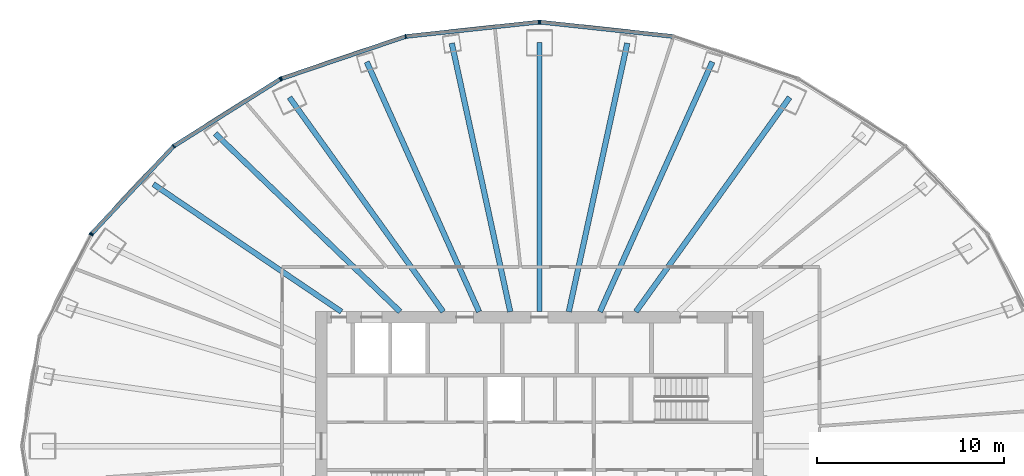
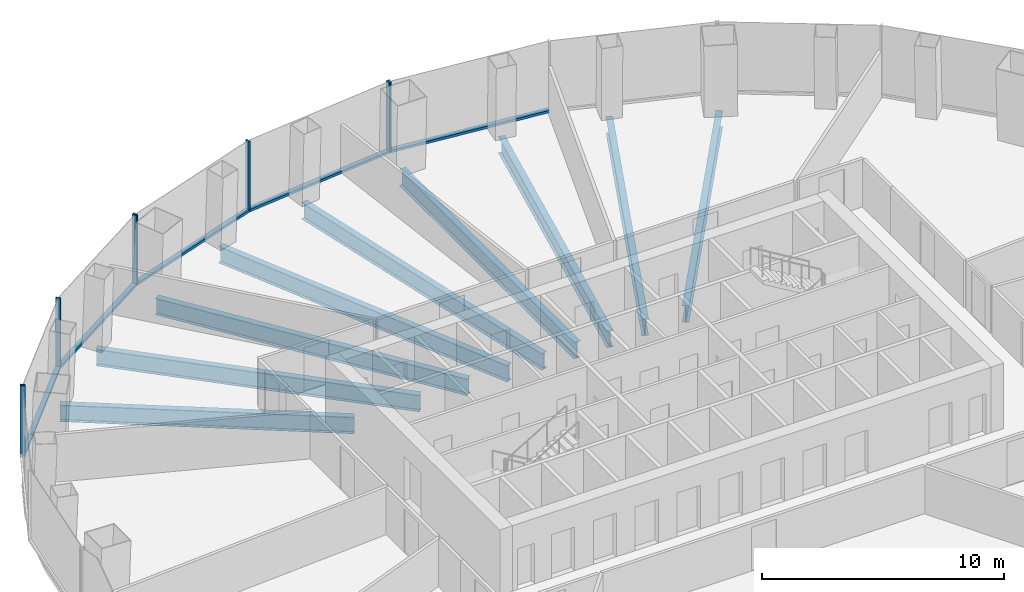
# One storey, part 5 of 11: 13 members, 9 beams, 4 elements without a shape of their own.
"""IFC4 building model written with IfcOpenShell, lengths in metres."""

from ifc_helpers import new_model, si_unit, direction, frame, origin, origin_2d, place, context, subcontext, project, spatial, rectangle, i_section, extrude, material, layer, layer_set, material_profile, profile_set, type_object, element, aggregate, save


model = new_model("IFC4")

# Units and contexts
model_context = context("Model", 3, precision=1e-05, world=origin(), true_north=direction((0.0, 1.0)))
body_context = subcontext(model_context, "Body", "Model", "MODEL_VIEW")
ifc_project = project(units=[si_unit("LENGTHUNIT", "METRE"), si_unit("AREAUNIT", "SQUARE_METRE"), si_unit("VOLUMEUNIT", "CUBIC_METRE"), si_unit("PLANEANGLEUNIT", "RADIAN"), si_unit("MASSUNIT", "GRAM", prefix="KILO")], contexts=[model_context])

# Site, building, storey
site_placement = place(None, origin())
site = spatial("IfcSite", under=ifc_project, at=site_placement, CompositionType="ELEMENT")
building_placement = place(site_placement, origin())
building = spatial("IfcBuilding", under=site, at=building_placement, Name="Siaravel Broadcast Tower", CompositionType="ELEMENT")
storey_placement = place(building_placement, frame((0.0, 0.0, 51.89990234375)))
storey = spatial("IfcBuildingStorey", under=building, at=storey_placement, Name="L11", CompositionType="ELEMENT", Elevation=51.89990234375)

# Beams
ifc_material_1 = material(Name="Steel S355", Category="steel")
ifc_material_profile_1 = material_profile(ifc_material_1, i_section(OverallWidth=0.291748046875, OverallDepth=0.8349609375, WebThickness=0.013916015625, FlangeThickness=0.018798828125, FilletRadius=0.017822265625, at=origin_2d()))
ifc_profile_set_1 = profile_set([ifc_material_profile_1], Name="Steel S355")
beam_type = type_object("IfcBeamType", Name="BM-UB 838x292x176", PredefinedType="BEAM", material=ifc_profile_set_1)
beam_1_placement = place(storey_placement, frame((13.402587890625, 18.687744140625, -0.5673828125), z_axis=(-0.582792363, -0.812621106, 0.0), x_axis=(0.812621106, -0.582792363, 0.0)))
element("IfcBeam", 1, at=beam_1_placement, inside=storey, type_object=beam_type, Name="Radial beam RB07", PredefinedType="BEAM", context=body_context, shape_type="SweptSolid", body=[
    extrude(i_section(OverallWidth=0.291748046875, OverallDepth=0.8349609375, WebThickness=0.013916015625, FlangeThickness=0.018798828125, FilletRadius=0.017822265625, at=origin_2d()), origin(), (0.0, 0.0, 1.0), 14.13671875),
])
beam_2_placement = place(storey_placement, frame((9.260986328125, 20.58984375, -0.5673828125), z_axis=(-0.410195272, -0.911997718, 0.0), x_axis=(0.911997718, -0.410195272, 0.0)))
element("IfcBeam", 2, at=beam_2_placement, inside=storey, type_object=beam_type, Name="Radial beam RB08", PredefinedType="BEAM", context=body_context, shape_type="SweptSolid", body=[
    extrude(i_section(OverallWidth=0.291748046875, OverallDepth=0.8349609375, WebThickness=0.013916015625, FlangeThickness=0.018798828125, FilletRadius=0.017822265625, at=origin_2d()), origin(), (0.0, 0.0, 1.0), 14.681884765625),
])
beam_3_placement = place(storey_placement, frame((4.70361328125, 21.590087890625, -0.5673828125), z_axis=(-0.212865263, -0.977081562, 0.0), x_axis=(0.977081562, -0.212865263, 0.0)))
element("IfcBeam", 3, at=beam_3_placement, inside=storey, type_object=beam_type, Name="Radial beam RB09", PredefinedType="BEAM", context=body_context, shape_type="SweptSolid", body=[
    extrude(i_section(OverallWidth=0.291748046875, OverallDepth=0.8349609375, WebThickness=0.013916015625, FlangeThickness=0.018798828125, FilletRadius=0.017822265625, at=origin_2d()), origin(), (0.0, 0.0, 1.0), 14.727783203125),
])
beam_4_placement = place(storey_placement, frame((0.0, 21.627197265625, -0.5673828125), z_axis=(0.0, -1.0, 0.0), x_axis=(1.0, 0.0, 0.0)))
element("IfcBeam", 4, at=beam_4_placement, inside=storey, type_object=beam_type, Name="Radial beam RB10", PredefinedType="BEAM", context=body_context, shape_type="SweptSolid", body=[
    extrude(i_section(OverallWidth=0.291748046875, OverallDepth=0.8349609375, WebThickness=0.013916015625, FlangeThickness=0.018798828125, FilletRadius=0.017822265625, at=origin_2d()), origin(), (0.0, 0.0, 1.0), 14.42724609375),
])
beam_5_placement = place(storey_placement, frame((-4.70361328125, 21.590087890625, -0.5673828125), z_axis=(0.212865263, -0.977081562, 0.0), x_axis=(0.977081562, 0.212865263, 0.0)))
element("IfcBeam", 5, at=beam_5_placement, inside=storey, type_object=beam_type, Name="Radial beam RB11", PredefinedType="BEAM", context=body_context, shape_type="SweptSolid", body=[
    extrude(i_section(OverallWidth=0.291748046875, OverallDepth=0.8349609375, WebThickness=0.013916015625, FlangeThickness=0.018798828125, FilletRadius=0.017822265625, at=origin_2d()), origin(), (0.0, 0.0, 1.0), 14.727783203125),
])
beam_6_placement = place(storey_placement, frame((-9.260986328125, 20.58984375, -0.5673828125), z_axis=(0.410195272, -0.911997718, 0.0), x_axis=(0.911997718, 0.410195272, 0.0)))
element("IfcBeam", 6, at=beam_6_placement, inside=storey, type_object=beam_type, Name="Radial beam RB12", PredefinedType="BEAM", context=body_context, shape_type="SweptSolid", body=[
    extrude(i_section(OverallWidth=0.291748046875, OverallDepth=0.8349609375, WebThickness=0.013916015625, FlangeThickness=0.018798828125, FilletRadius=0.017822265625, at=origin_2d()), origin(), (0.0, 0.0, 1.0), 14.681884765625),
])
beam_7_placement = place(storey_placement, frame((-13.402587890625, 18.687744140625, -0.5673828125), z_axis=(0.582792363, -0.812621106, 0.0), x_axis=(0.812621106, 0.582792363, 0.0)))
element("IfcBeam", 7, at=beam_7_placement, inside=storey, type_object=beam_type, Name="Radial beam RB13", PredefinedType="BEAM", context=body_context, shape_type="SweptSolid", body=[
    extrude(i_section(OverallWidth=0.291748046875, OverallDepth=0.8349609375, WebThickness=0.013916015625, FlangeThickness=0.018798828125, FilletRadius=0.017822265625, at=origin_2d()), origin(), (0.0, 0.0, 1.0), 14.13671875),
])
beam_8_placement = place(storey_placement, frame((-17.381591796875, 16.750732421875, -0.5673828125), z_axis=(0.720050335, -0.693921836, 0.0), x_axis=(0.693921836, 0.720050335, 0.0)))
element("IfcBeam", 8, at=beam_8_placement, inside=storey, type_object=beam_type, Name="Radial beam RB14", PredefinedType="BEAM", context=body_context, shape_type="SweptSolid", body=[
    extrude(i_section(OverallWidth=0.291748046875, OverallDepth=0.8349609375, WebThickness=0.013916015625, FlangeThickness=0.018798828125, FilletRadius=0.017822265625, at=origin_2d()), origin(), (0.0, 0.0, 1.0), 13.763427734375),
])
beam_9_placement = place(storey_placement, frame((-20.69580078125, 14.0361328125, -0.5673828125), z_axis=(0.827610801, -0.56130238, 0.0), x_axis=(0.56130238, 0.827610801, 0.0)))
element("IfcBeam", 9, at=beam_9_placement, inside=storey, type_object=beam_type, Name="Radial beam RB15", PredefinedType="BEAM", context=body_context, shape_type="SweptSolid", body=[
    extrude(i_section(OverallWidth=0.291748046875, OverallDepth=0.8349609375, WebThickness=0.013916015625, FlangeThickness=0.018798828125, FilletRadius=0.017822265625, at=origin_2d()), origin(), (0.0, 0.0, 1.0), 12.17919921875),
])

# Curtain wall, member
ifc_material_2 = material(Name="Aluminium 6063-T6", Category="aluminium")
ifc_layer = layer(ifc_material_2, 0.219970703125)
ifc_layer_set = layer_set([ifc_layer], Name="Aluminium 6063-T6")
curtain_wall_type = type_object("IfcCurtainWallType", Name="Unitised curtain wall, zone 1", PredefinedType="NOTDEFINED", material=ifc_layer_set)
curtain_wall_1_placement = place(storey_placement, origin())
curtain_wall_1 = element("IfcCurtainWall", 10, at=curtain_wall_1_placement, inside=storey, type_object=curtain_wall_type, Name="L11 Unitised curtain wall, zone 1 03", PredefinedType="NOTDEFINED")
ifc_material_profile_2 = material_profile(ifc_material_2, rectangle(XDim=0.219970703125, YDim=0.070068359375, at=origin_2d()))
ifc_profile_set_2 = profile_set([ifc_material_profile_2], Name="Aluminium 6063-T6")
member_type_1 = type_object("IfcMemberType", Name="CW-Z1 mullion", PredefinedType="MULLION", material=ifc_profile_set_2)
member_1_placement = place(storey_placement, frame((0.034912109375, 22.720703125, 0.0), z_axis=(0.0, 0.0, 1.0), x_axis=(-0.107217536, -0.994235586, 0.0)))
member_1 = element("IfcMember", 11, at=member_1_placement, type_object=member_type_1, Name="CW-Z1 mullion 3", PredefinedType="MULLION", context=body_context, shape_type="SweptSolid", body=[
    extrude(rectangle(XDim=0.219970703125, YDim=0.070068359375, at=origin_2d()), origin(), (0.0, 0.0, 1.0), 3.550048828125),
])

# Curtain wall, members
curtain_wall_2_placement = place(storey_placement, origin())
curtain_wall_2 = element("IfcCurtainWall", 12, at=curtain_wall_2_placement, inside=storey, type_object=curtain_wall_type, Name="L11 Unitised curtain wall, zone 1 04", PredefinedType="NOTDEFINED")
member_2_placement = place(storey_placement, frame((-0.034912109375, 22.720703125, 0.0), z_axis=(0.0, 0.0, 1.0), x_axis=(0.107217536, -0.994235586, 0.0)))
member_2 = element("IfcMember", 13, at=member_2_placement, type_object=member_type_1, Name="CW-Z1 mullion 1", PredefinedType="MULLION", context=body_context, shape_type="SweptSolid", body=[
    extrude(rectangle(XDim=0.219970703125, YDim=0.070068359375, at=origin_2d()), origin(), (0.0, 0.0, 1.0), 3.550048828125),
])
member_3_placement = place(storey_placement, frame((-7.17529296875, 21.95068359375, 0.0), z_axis=(0.0, 0.0, 1.0), x_axis=(0.215558136, -0.976491009, 0.0)))
member_3 = element("IfcMember", 14, at=member_3_placement, type_object=member_type_1, Name="CW-Z1 mullion 2", PredefinedType="MULLION", context=body_context, shape_type="SweptSolid", body=[
    extrude(rectangle(XDim=0.219970703125, YDim=0.070068359375, at=origin_2d()), origin(), (0.0, 0.0, 1.0), 3.550048828125),
])
member_4_placement = place(storey_placement, frame((-13.8291015625, 19.693115234375, 0.0), z_axis=(0.0, 0.0, 1.0), x_axis=(0.321300709, -0.94697722, 0.0)))
member_4 = element("IfcMember", 15, at=member_4_placement, type_object=member_type_1, Name="CW-Z1 mullion 3", PredefinedType="MULLION", context=body_context, shape_type="SweptSolid", body=[
    extrude(rectangle(XDim=0.219970703125, YDim=0.070068359375, at=origin_2d()), origin(), (0.0, 0.0, 1.0), 3.550048828125),
])

curtain_wall_3_placement = place(storey_placement, origin())
curtain_wall_3 = element("IfcCurtainWall", 16, at=curtain_wall_3_placement, inside=storey, type_object=curtain_wall_type, Name="L11 Unitised curtain wall, zone 1 05", PredefinedType="NOTDEFINED")
member_5_placement = place(storey_placement, frame((-13.89208984375, 19.663330078125, 0.0), z_axis=(0.0, 0.0, 1.0), x_axis=(0.532149214, -0.846650586, 0.0)))
member_5 = element("IfcMember", 17, at=member_5_placement, type_object=member_type_1, Name="CW-Z1 mullion 1", PredefinedType="MULLION", context=body_context, shape_type="SweptSolid", body=[
    extrude(rectangle(XDim=0.219970703125, YDim=0.070068359375, at=origin_2d()), origin(), (0.0, 0.0, 1.0), 3.550048828125),
])
member_6_placement = place(storey_placement, frame((-19.605712890625, 16.072021484375, 0.0), z_axis=(0.0, 0.0, 1.0), x_axis=(0.636218527, -0.771508902, 0.0)))
member_6 = element("IfcMember", 18, at=member_6_placement, type_object=member_type_1, Name="CW-Z1 mullion 2", PredefinedType="MULLION", context=body_context, shape_type="SweptSolid", body=[
    extrude(rectangle(XDim=0.219970703125, YDim=0.070068359375, at=origin_2d()), origin(), (0.0, 0.0, 1.0), 3.550048828125),
])
member_7_placement = place(storey_placement, frame((-23.990234375, 11.3916015625, 0.0), z_axis=(0.0, 0.0, 1.0), x_axis=(0.729805061, -0.683655302, 0.0)))
member_7 = element("IfcMember", 19, at=member_7_placement, type_object=member_type_1, Name="CW-Z1 mullion 3", PredefinedType="MULLION", context=body_context, shape_type="SweptSolid", body=[
    extrude(rectangle(XDim=0.219970703125, YDim=0.070068359375, at=origin_2d()), origin(), (0.0, 0.0, 1.0), 3.550048828125),
])

# Curtain wall, member
curtain_wall_4_placement = place(storey_placement, origin())
curtain_wall_4 = element("IfcCurtainWall", 20, at=curtain_wall_4_placement, inside=storey, type_object=curtain_wall_type, Name="L11 Unitised curtain wall, zone 1 06", PredefinedType="NOTDEFINED")
member_8_placement = place(storey_placement, frame((-24.02978515625, 11.3349609375, 0.0), z_axis=(0.0, 0.0, 1.0), x_axis=(0.892391886, -0.451261257, 0.0)))
member_8 = element("IfcMember", 21, at=member_8_placement, type_object=member_type_1, Name="CW-Z1 mullion 1", PredefinedType="MULLION", context=body_context, shape_type="SweptSolid", body=[
    extrude(rectangle(XDim=0.219970703125, YDim=0.070068359375, at=origin_2d()), origin(), (0.0, 0.0, 1.0), 3.550048828125),
])
aggregate(curtain_wall_4, [member_8])

# Member
ifc_material_profile_3 = material_profile(ifc_material_2, rectangle(XDim=0.219970703125, YDim=0.1201171875, at=origin_2d()))
ifc_profile_set_3 = profile_set([ifc_material_profile_3], Name="Aluminium 6063-T6")
member_type_2 = type_object("IfcMemberType", Name="CW-Z1 transom", PredefinedType="USERDEFINED", material=ifc_profile_set_3)
member_9_placement = place(storey_placement, frame((7.140380859375, 21.95458984375, 0.06005859375), z_axis=(-0.994236456, 0.107209463, 0.0), x_axis=(-0.107209463, -0.994236456, 0.0)))
member_9 = element("IfcMember", 22, at=member_9_placement, type_object=member_type_2, Name="CW-Z1 transom 2", ObjectType="TRANSOM", PredefinedType="USERDEFINED", context=body_context, shape_type="SweptSolid", body=[
    extrude(rectangle(XDim=0.219970703125, YDim=0.1201171875, at=origin_2d()), origin(), (0.0, 0.0, 1.0), 7.11181640625),
])

aggregate(curtain_wall_1, [member_1, member_9])

member_10_placement = place(storey_placement, frame((-0.069580078125, 22.717041015625, 0.06005859375), z_axis=(-0.994236456, -0.107209463, 0.0), x_axis=(0.107209463, -0.994236456, 0.0)))
member_10 = element("IfcMember", 23, at=member_10_placement, type_object=member_type_2, Name="CW-Z1 transom 1", ObjectType="TRANSOM", PredefinedType="USERDEFINED", context=body_context, shape_type="SweptSolid", body=[
    extrude(rectangle(XDim=0.219970703125, YDim=0.1201171875, at=origin_2d()), origin(), (0.0, 0.0, 1.0), 7.11181640625),
])

member_11_placement = place(storey_placement, frame((-7.20849609375, 21.939697265625, 0.06005859375), z_axis=(-0.946974505, -0.321308709, 0.0), x_axis=(0.321308709, -0.946974505, 0.0)))
member_11 = element("IfcMember", 24, at=member_11_placement, type_object=member_type_2, Name="CW-Z1 transom 2", ObjectType="TRANSOM", PredefinedType="USERDEFINED", context=body_context, shape_type="SweptSolid", body=[
    extrude(rectangle(XDim=0.219970703125, YDim=0.1201171875, at=origin_2d()), origin(), (0.0, 0.0, 1.0), 6.956298828125),
])

aggregate(curtain_wall_2, [member_2, member_3, member_4, member_10, member_11])

member_12_placement = place(storey_placement, frame((-13.921630859375, 19.644775390625, 0.06005859375), z_axis=(-0.846658666, -0.532136358, 0.0), x_axis=(0.532136358, -0.846658666, 0.0)))
member_12 = element("IfcMember", 25, at=member_12_placement, type_object=member_type_2, Name="CW-Z1 transom 1", ObjectType="TRANSOM", PredefinedType="USERDEFINED", context=body_context, shape_type="SweptSolid", body=[
    extrude(rectangle(XDim=0.219970703125, YDim=0.1201171875, at=origin_2d()), origin(), (0.0, 0.0, 1.0), 6.6787109375),
])

member_13_placement = place(storey_placement, frame((-19.629638671875, 16.04638671875, 0.06005859375), z_axis=(-0.683676063, -0.729785613, 0.0), x_axis=(0.729785613, -0.683676063, 0.0)))
member_13 = element("IfcMember", 26, at=member_13_placement, type_object=member_type_2, Name="CW-Z1 transom 2", ObjectType="TRANSOM", PredefinedType="USERDEFINED", context=body_context, shape_type="SweptSolid", body=[
    extrude(rectangle(XDim=0.219970703125, YDim=0.1201171875, at=origin_2d()), origin(), (0.0, 0.0, 1.0), 6.34326171875),
])

aggregate(curtain_wall_3, [member_5, member_6, member_7, member_12, member_13])

save(model, "model.ifc")
